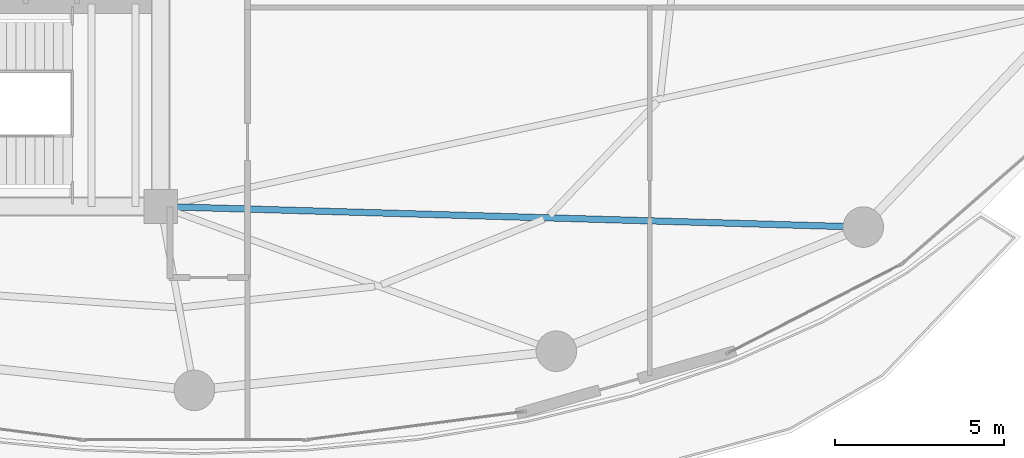
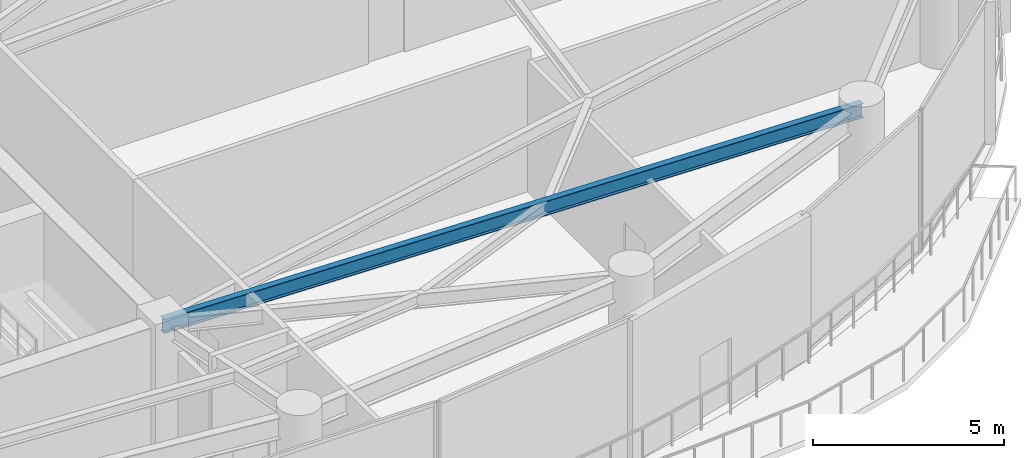
# One storey, part 10 of 30: 1 beam.
"""IFC4 building model written with IfcOpenShell, lengths in metres."""

from ifc_helpers import new_model, si_unit, direction, frame, origin, origin_2d, place, context, subcontext, project, spatial, i_section, extrude, material, material_profile, profile_set, type_object, element, save


model = new_model("IFC4")

# Units and contexts
model_context = context("Model", 3, precision=1e-05, world=origin(), true_north=direction((0.0, 1.0)))
body_context = subcontext(model_context, "Body", "Model", "MODEL_VIEW")
ifc_project = project(units=[si_unit("LENGTHUNIT", "METRE"), si_unit("AREAUNIT", "SQUARE_METRE"), si_unit("VOLUMEUNIT", "CUBIC_METRE"), si_unit("PLANEANGLEUNIT", "RADIAN"), si_unit("MASSUNIT", "GRAM", prefix="KILO")], contexts=[model_context])

# Site, building, storey
site_placement = place(None, origin())
site = spatial("IfcSite", under=ifc_project, at=site_placement, CompositionType="ELEMENT")
building_placement = place(site_placement, origin())
building = spatial("IfcBuilding", under=site, at=building_placement, Name="Kazevale Care Tower and Concert Hall", CompositionType="ELEMENT")
storey_placement = place(building_placement, frame((0.0, 0.0, 97.800048828125)))
storey = spatial("IfcBuildingStorey", under=building, at=storey_placement, Name="L25", CompositionType="ELEMENT", Elevation=97.800048828125)

# Beam
ifc_material = material(Name="Steel ASTM A572 Gr 50", Category="steel")
ifc_material_profile = material_profile(ifc_material, i_section(OverallWidth=0.19091796875, OverallDepth=0.4599609375, WebThickness=0.010009765625, FlangeThickness=0.01611328125, at=origin_2d()), Name="W460x82")
ifc_profile_set = profile_set([ifc_material_profile], Name="Steel ASTM A572 Gr 50")
beam_type = type_object("IfcBeamType", Name="Radial Floor Beam W460x82", PredefinedType="BEAM", material=ifc_profile_set)
beam_placement = place(storey_placement, frame((44.0, 23.60009765625, 4.329833984375), z_axis=(0.99957133157, -0.029277177187, 0.0), x_axis=(0.029277177187, 0.99957133157, 0.0)))
element("IfcBeam", 1, at=beam_placement, inside=storey, type_object=beam_type, Name="beam:L25:rad:15", PredefinedType="BEAM", context=body_context, shape_type="SweptSolid", body=[
    extrude(i_section(OverallWidth=0.19091796875, OverallDepth=0.4599609375, WebThickness=0.010009765625, FlangeThickness=0.01611328125, at=origin_2d()), origin(), (0.0, 0.0, 1.0), 20.839111328125),
])

save(model, "model.ifc")
